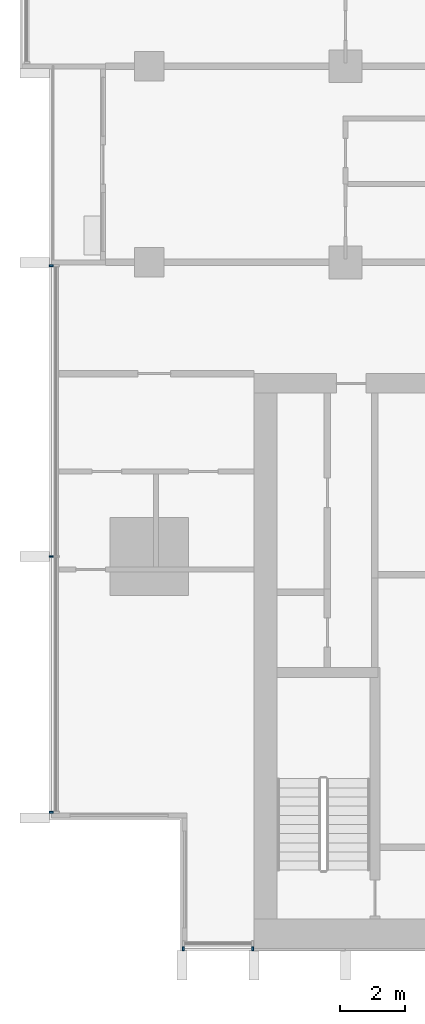
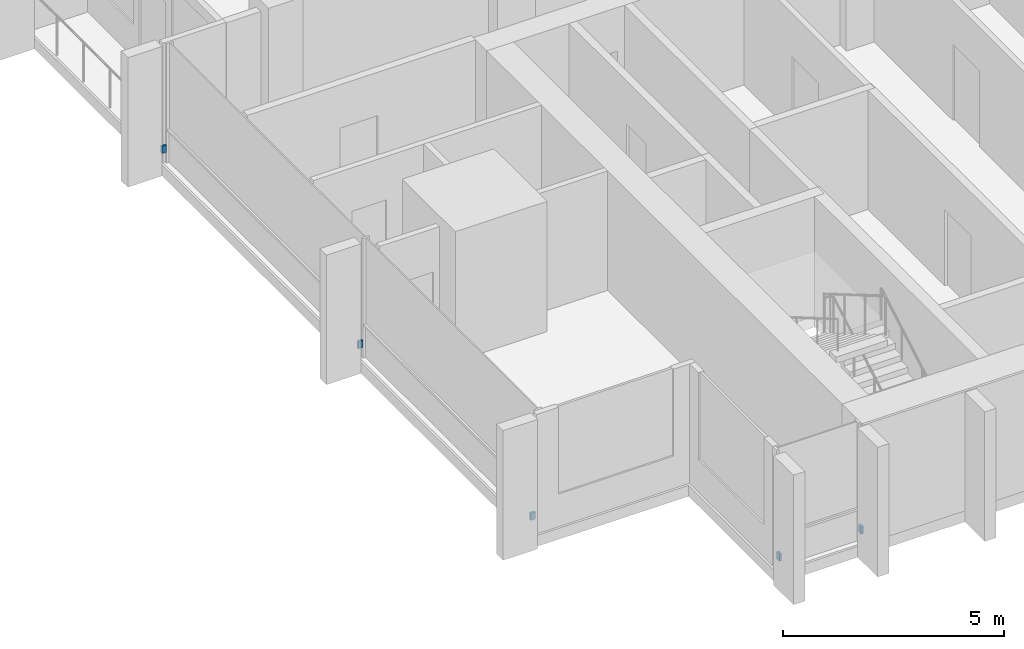
# One storey, part 12 of 16: 5 discrete accessories.
"""IFC4 building model written with IfcOpenShell, lengths in metres."""

from ifc_helpers import new_model, si_unit, direction, frame, origin, origin_2d, place, context, subcontext, project, spatial, rectangle, extrude, material, type_object, element, save


model = new_model("IFC4")

# Units and contexts
model_context = context("Model", 3, precision=1e-05, world=origin(), true_north=direction((0.0, 1.0)))
body_context = subcontext(model_context, "Body", "Model", "MODEL_VIEW")
ifc_project = project(units=[si_unit("LENGTHUNIT", "METRE"), si_unit("AREAUNIT", "SQUARE_METRE"), si_unit("VOLUMEUNIT", "CUBIC_METRE"), si_unit("PLANEANGLEUNIT", "RADIAN"), si_unit("MASSUNIT", "GRAM", prefix="KILO")], contexts=[model_context])

# Site, building, storey
site_placement = place(None, origin())
site = spatial("IfcSite", under=ifc_project, at=site_placement, CompositionType="ELEMENT")
building_placement = place(site_placement, origin())
building = spatial("IfcBuilding", under=site, at=building_placement, Name="Finial Court Residences", CompositionType="ELEMENT")
storey_placement = place(building_placement, frame((0.0, 0.0, 178.10009765625)))
storey = spatial("IfcBuildingStorey", under=building, at=storey_placement, Name="L44", CompositionType="ELEMENT", Elevation=178.10009765625)

# Discrete accessories
ifc_material = material(Name="Stainless steel 316", Category="steel")
discrete_accessory_type = type_object("IfcDiscreteAccessoryType", Name="Fin bracket, stainless steel 60 x 122 x 200", PredefinedType="BRACKET", material=ifc_material)
for number, where, z_axis, x_axis, name in (
    (1, (-15.469970703125, -25.498779296875, 0.2998046875), (0.0, 0.0, 1.0), (1.0, 0.0, 0.0), "E-L44-FIN-S14-BRK"),
    (2, (-13.330078125, -25.498779296875, 0.2998046875), (0.0, 0.0, 1.0), (1.0, 0.0, 0.0), "E-L44-FIN-S15-BRK"),
):
    element("IfcDiscreteAccessory", number, at=place(storey_placement, frame(where, z_axis=z_axis, x_axis=x_axis)), inside=storey, type_object=discrete_accessory_type, Name=name, PredefinedType="BRACKET", context=body_context, shape_type="SweptSolid", body=[
        extrude(rectangle(XDim=0.06005859375, YDim=0.12255859375, at=origin_2d()), origin(), (0.0, 0.0, 1.0), 0.199951171875),
    ])
for number, where, z_axis, x_axis, name in (
    (3, (-19.498779296875, -21.320068359375, 0.2998046875), (0.0, 0.0, 1.0), (1.0, 0.0, 0.0), "E-L44-FIN-W22-BRK"),
    (4, (-19.498779296875, -13.5, 0.2998046875), (0.0, 0.0, 1.0), (1.0, 0.0, 0.0), "E-L44-FIN-W23-BRK"),
    (5, (-19.498779296875, -4.60498046875, 0.2998046875), (0.0, 0.0, 1.0), (1.0, 0.0, 0.0), "E-L44-FIN-W24-BRK"),
):
    element("IfcDiscreteAccessory", number, at=place(storey_placement, frame(where, z_axis=z_axis, x_axis=x_axis)), inside=storey, type_object=discrete_accessory_type, Name=name, PredefinedType="BRACKET", context=body_context, shape_type="SweptSolid", body=[
        extrude(rectangle(XDim=0.12255859375, YDim=0.06005859375, at=origin_2d()), origin(), (0.0, 0.0, 1.0), 0.199951171875),
    ])

save(model, "model.ifc")
